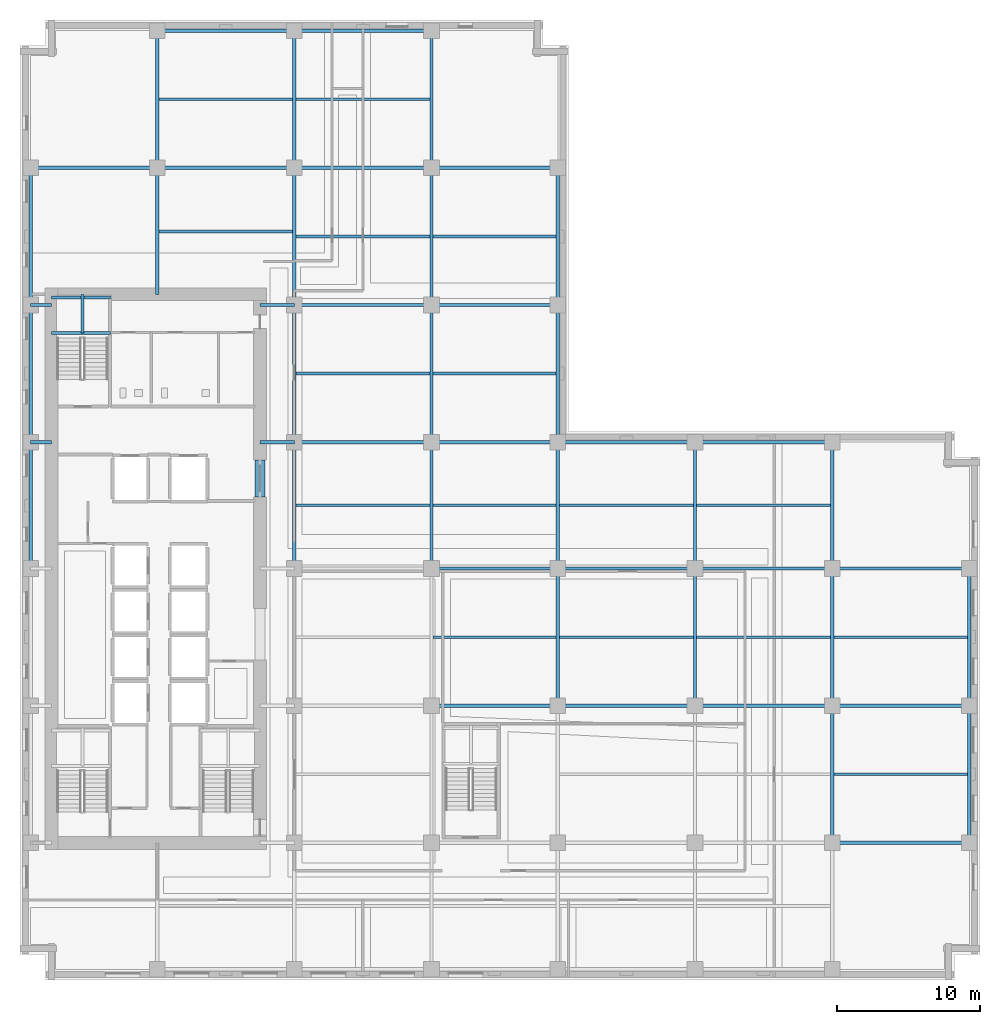
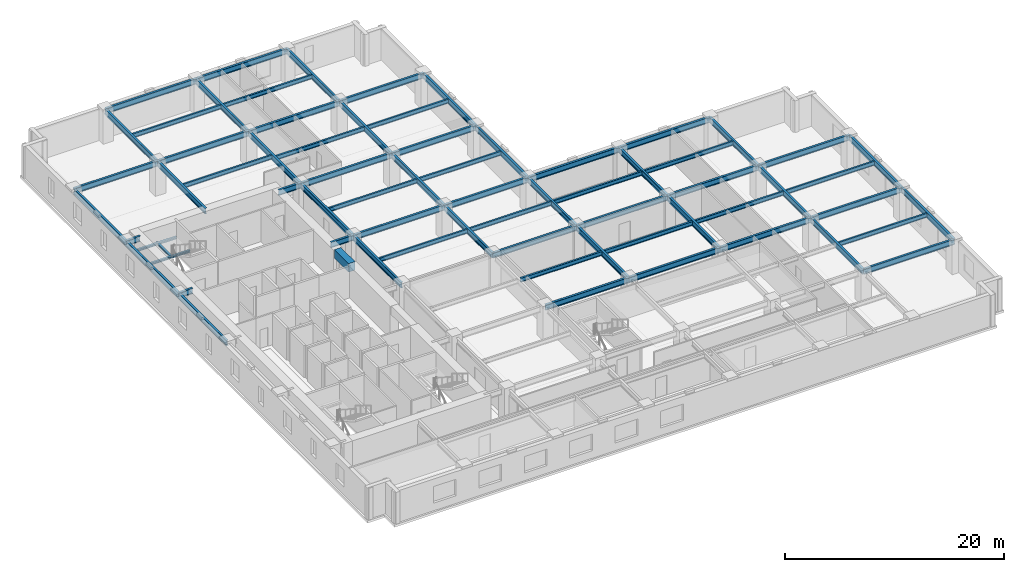
# One storey, part 2 of 13: 69 beams.
"""IFC4 building model written with IfcOpenShell, lengths in metres."""

from ifc_helpers import new_model, si_unit, direction, frame, origin, origin_2d, place, context, subcontext, project, spatial, rectangle, i_section, extrude, material, material_profile, profile_set, type_object, element, save


model = new_model("IFC4")

# Units and contexts
model_context = context("Model", 3, precision=1e-05, world=origin(), true_north=direction((0.0, 1.0)))
body_context = subcontext(model_context, "Body", "Model", "MODEL_VIEW")
ifc_project = project(units=[si_unit("LENGTHUNIT", "METRE"), si_unit("AREAUNIT", "SQUARE_METRE"), si_unit("VOLUMEUNIT", "CUBIC_METRE"), si_unit("PLANEANGLEUNIT", "RADIAN"), si_unit("MASSUNIT", "GRAM", prefix="KILO")], contexts=[model_context])

# Site, building, storey
site_placement = place(None, origin())
site = spatial("IfcSite", under=ifc_project, at=site_placement, CompositionType="ELEMENT")
building_placement = place(site_placement, origin())
building = spatial("IfcBuilding", under=site, at=building_placement, Name="Norrvale University Quadrangle", CompositionType="ELEMENT")
storey_placement = place(building_placement, frame((0.0, 0.0, 69.800048828125)))
storey = spatial("IfcBuildingStorey", under=building, at=storey_placement, Name="L17", CompositionType="ELEMENT", Elevation=69.800048828125)

# Beams
ifc_material_1 = material(Name="Concrete C80/95", Category="concrete")
ifc_material_profile_1 = material_profile(ifc_material_1, rectangle(XDim=0.699951171875, YDim=0.949951171875, at=origin_2d()), Name="Concrete C80/95")
ifc_profile_set_1 = profile_set([ifc_material_profile_1], Name="Concrete C80/95")
beam_type_1 = type_object("IfcBeamType", Name="Beam Core Link 700x950", PredefinedType="LINTEL", material=ifc_profile_set_1)
beam_1_placement = place(storey_placement, frame((16.800048828125, 33.800048828125, 3.06494140625), z_axis=(0.0, 1.0, 0.0), x_axis=(-1.0, 0.0, 0.0)))
element("IfcBeam", 1, at=beam_1_placement, inside=storey, type_object=beam_type_1, Name="Core Coupling Lintel Beam L17-2", PredefinedType="LINTEL", context=body_context, shape_type="SweptSolid", body=[
    extrude(rectangle(XDim=0.699951171875, YDim=0.949951171875, at=origin_2d()), origin(), (0.0, 0.0, 1.0), 2.599853515625),
])
ifc_material_2 = material(Name="Steel 350W", Category="steel")
ifc_material_profile_2 = material_profile(ifc_material_2, i_section(OverallWidth=0.18994140625, OverallDepth=0.45703125, WebThickness=0.009033203125, FlangeThickness=0.014404296875, FilletRadius=0.012939453125, at=origin_2d()), Name="Steel 350W")
ifc_profile_set_2 = profile_set([ifc_material_profile_2], Name="Steel 350W")
beam_type_2 = type_object("IfcBeamType", Name="Beam Floor W460x74", PredefinedType="JOIST", material=ifc_profile_set_2)
beam_2_placement = place(storey_placement, frame((9.715087890625, 61.64990234375, 3.3115234375), z_axis=(1.0, 0.0, 0.0), x_axis=(0.0, 1.0, 0.0)))
element("IfcBeam", 2, at=beam_2_placement, inside=storey, type_object=beam_type_2, Name="Beam Floor W460x74 BM-L17-J079", PredefinedType="JOIST", context=body_context, shape_type="SweptSolid", body=[
    extrude(i_section(OverallWidth=0.18994140625, OverallDepth=0.45703125, WebThickness=0.009033203125, FlangeThickness=0.014404296875, FilletRadius=0.012939453125, at=origin_2d()), origin(), (0.0, 0.0, 1.0), 9.369873046875),
])
for number, where, z_axis, x_axis, name in (
    (3, (19.31494140625, 33.22509765625, 3.3115234375), (1.0, 0.0, 0.0), (0.0, 1.0, 0.0), "Beam Floor W460x74 BM-L17-J083"),
    (4, (19.31494140625, 42.449951171875, 3.3115234375), (1.0, 0.0, 0.0), (0.0, 1.0, 0.0), "Beam Floor W460x74 BM-L17-J084"),
    (5, (19.31494140625, 52.050048828125, 3.3115234375), (1.0, 0.0, 0.0), (0.0, 1.0, 0.0), "Beam Floor W460x74 BM-L17-J085"),
    (6, (19.31494140625, 61.64990234375, 3.3115234375), (1.0, 0.0, 0.0), (0.0, 1.0, 0.0), "Beam Floor W460x74 BM-L17-J086"),
):
    element("IfcBeam", number, at=place(storey_placement, frame(where, z_axis=z_axis, x_axis=x_axis)), inside=storey, type_object=beam_type_2, Name=name, PredefinedType="JOIST", context=body_context, shape_type="SweptSolid", body=[
        extrude(i_section(OverallWidth=0.18994140625, OverallDepth=0.45703125, WebThickness=0.009033203125, FlangeThickness=0.014404296875, FilletRadius=0.012939453125, at=origin_2d()), origin(), (0.0, 0.0, 1.0), 9.3701171875),
    ])
for number, where, z_axis, x_axis, name in (
    (7, (28.9150390625, 24.0, 3.3115234375), (1.0, 0.0, 0.0), (0.0, 1.0, 0.0), "Beam Floor W460x74 BM-L17-J088"),
    (8, (28.9150390625, 33.22509765625, 3.3115234375), (1.0, 0.0, 0.0), (0.0, 1.0, 0.0), "Beam Floor W460x74 BM-L17-J089"),
    (9, (28.9150390625, 42.449951171875, 3.3115234375), (1.0, 0.0, 0.0), (0.0, 1.0, 0.0), "Beam Floor W460x74 BM-L17-J090"),
    (10, (28.9150390625, 52.050048828125, 3.3115234375), (1.0, 0.0, 0.0), (0.0, 1.0, 0.0), "Beam Floor W460x74 BM-L17-J091"),
):
    element("IfcBeam", number, at=place(storey_placement, frame(where, z_axis=z_axis, x_axis=x_axis)), inside=storey, type_object=beam_type_2, Name=name, PredefinedType="JOIST", context=body_context, shape_type="SweptSolid", body=[
        extrude(i_section(OverallWidth=0.18994140625, OverallDepth=0.45703125, WebThickness=0.009033203125, FlangeThickness=0.014404296875, FilletRadius=0.012939453125, at=origin_2d()), origin(), (0.0, 0.0, 1.0), 8.619873046875),
    ])
for number, where, z_axis, x_axis, name in (
    (11, (37.764892578125, 24.0, 3.3115234375), (1.0, 0.0, 0.0), (0.0, 1.0, 0.0), "Beam Floor W460x74 BM-L17-J094"),
    (12, (37.764892578125, 33.22509765625, 3.3115234375), (1.0, 0.0, 0.0), (0.0, 1.0, 0.0), "Beam Floor W460x74 BM-L17-J095"),
    (13, (47.364990234375, 24.0, 3.3115234375), (1.0, 0.0, 0.0), (0.0, 1.0, 0.0), "Beam Floor W460x74 BM-L17-J098"),
    (14, (47.364990234375, 33.22509765625, 3.3115234375), (1.0, 0.0, 0.0), (0.0, 1.0, 0.0), "Beam Floor W460x74 BM-L17-J099"),
):
    element("IfcBeam", number, at=place(storey_placement, frame(where, z_axis=z_axis, x_axis=x_axis)), inside=storey, type_object=beam_type_2, Name=name, PredefinedType="JOIST", context=body_context, shape_type="SweptSolid", body=[
        extrude(i_section(OverallWidth=0.18994140625, OverallDepth=0.45703125, WebThickness=0.009033203125, FlangeThickness=0.014404296875, FilletRadius=0.012939453125, at=origin_2d()), origin(), (0.0, 0.0, 1.0), 9.3701171875),
    ])
for number, where, z_axis, x_axis, name in (
    (15, (56.965087890625, 14.39990234375, 3.3115234375), (1.0, 0.0, 0.0), (0.0, 1.0, 0.0), "Beam Floor W460x74 BM-L17-J100"),
    (16, (56.965087890625, 24.0, 3.3115234375), (1.0, 0.0, 0.0), (0.0, 1.0, 0.0), "Beam Floor W460x74 BM-L17-J101"),
    (17, (9.715087890625, 52.39990234375, 3.3115234375), (1.0, 0.0, 0.0), (0.0, 1.0, 0.0), "Beam Floor W460x74 BM-L17-JCN105"),
):
    element("IfcBeam", number, at=place(storey_placement, frame(where, z_axis=z_axis, x_axis=x_axis)), inside=storey, type_object=beam_type_2, Name=name, PredefinedType="JOIST", context=body_context, shape_type="SweptSolid", body=[
        extrude(i_section(OverallWidth=0.18994140625, OverallDepth=0.45703125, WebThickness=0.009033203125, FlangeThickness=0.014404296875, FilletRadius=0.012939453125, at=origin_2d()), origin(), (0.0, 0.0, 1.0), 9.369873046875),
    ])
ifc_material_profile_3 = material_profile(ifc_material_2, i_section(OverallWidth=0.22998046875, OverallDepth=0.616943359375, WebThickness=0.01318359375, FlangeThickness=0.022216796875, FilletRadius=0.01611328125, at=origin_2d()), Name="Steel 350W")
ifc_profile_set_3 = profile_set([ifc_material_profile_3], Name="Steel 350W")
beam_type_3 = type_object("IfcBeamType", Name="Beam Floor W610x140", PredefinedType="BEAM", material=ifc_profile_set_3)
beam_3_placement = place(storey_placement, frame((56.85009765625, 9.60009765625, 3.2314453125), z_axis=(1.0, 0.0, 0.0), x_axis=(0.0, 1.0, 0.0)))
element("IfcBeam", 18, at=beam_3_placement, inside=storey, type_object=beam_type_3, Name="Beam Floor W610x140 BM-L17-GX010", PredefinedType="BEAM", context=body_context, shape_type="SweptSolid", body=[
    extrude(i_section(OverallWidth=0.22998046875, OverallDepth=0.616943359375, WebThickness=0.01318359375, FlangeThickness=0.022216796875, FilletRadius=0.01611328125, at=origin_2d()), origin(), (0.0, 0.0, 1.0), 9.599853515625),
])
beam_4_placement = place(storey_placement, frame((28.800048828125, 19.199951171875, 3.2314453125), z_axis=(1.0, 0.0, 0.0), x_axis=(0.0, 1.0, 0.0)))
element("IfcBeam", 19, at=beam_4_placement, inside=storey, type_object=beam_type_3, Name="Beam Floor W610x140 BM-L17-GX012", PredefinedType="BEAM", context=body_context, shape_type="SweptSolid", body=[
    extrude(i_section(OverallWidth=0.22998046875, OverallDepth=0.616943359375, WebThickness=0.01318359375, FlangeThickness=0.022216796875, FilletRadius=0.01611328125, at=origin_2d()), origin(), (0.0, 0.0, 1.0), 8.849853515625),
])
for number, where, z_axis, x_axis, name in (
    (20, (37.64990234375, 19.199951171875, 3.2314453125), (1.0, 0.0, 0.0), (0.0, 1.0, 0.0), "Beam Floor W610x140 BM-L17-GX013"),
    (21, (47.25, 19.199951171875, 3.2314453125), (1.0, 0.0, 0.0), (0.0, 1.0, 0.0), "Beam Floor W610x140 BM-L17-GX014"),
):
    element("IfcBeam", number, at=place(storey_placement, frame(where, z_axis=z_axis, x_axis=x_axis)), inside=storey, type_object=beam_type_3, Name=name, PredefinedType="BEAM", context=body_context, shape_type="SweptSolid", body=[
        extrude(i_section(OverallWidth=0.22998046875, OverallDepth=0.616943359375, WebThickness=0.01318359375, FlangeThickness=0.022216796875, FilletRadius=0.01611328125, at=origin_2d()), origin(), (0.0, 0.0, 1.0), 9.60009765625),
    ])
beam_5_placement = place(storey_placement, frame((56.85009765625, 19.199951171875, 3.2314453125), z_axis=(1.0, 0.0, 0.0), x_axis=(0.0, 1.0, 0.0)))
element("IfcBeam", 22, at=beam_5_placement, inside=storey, type_object=beam_type_3, Name="Beam Floor W610x140 BM-L17-GX015", PredefinedType="BEAM", context=body_context, shape_type="SweptSolid", body=[
    extrude(i_section(OverallWidth=0.22998046875, OverallDepth=0.616943359375, WebThickness=0.01318359375, FlangeThickness=0.022216796875, FilletRadius=0.01611328125, at=origin_2d()), origin(), (0.0, 0.0, 1.0), 9.599853515625),
])
beam_6_placement = place(storey_placement, frame((28.800048828125, 28.800048828125, 3.2314453125), z_axis=(1.0, 0.0, 0.0), x_axis=(0.0, 1.0, 0.0)))
element("IfcBeam", 23, at=beam_6_placement, inside=storey, type_object=beam_type_3, Name="Beam Floor W610x140 BM-L17-GX017", PredefinedType="BEAM", context=body_context, shape_type="SweptSolid", body=[
    extrude(i_section(OverallWidth=0.22998046875, OverallDepth=0.616943359375, WebThickness=0.01318359375, FlangeThickness=0.022216796875, FilletRadius=0.01611328125, at=origin_2d()), origin(), (0.0, 0.0, 1.0), 8.849853515625),
])
for number, where, z_axis, x_axis, name in (
    (24, (37.64990234375, 28.800048828125, 3.2314453125), (1.0, 0.0, 0.0), (0.0, 1.0, 0.0), "Beam Floor W610x140 BM-L17-GX018"),
    (25, (47.25, 28.800048828125, 3.2314453125), (1.0, 0.0, 0.0), (0.0, 1.0, 0.0), "Beam Floor W610x140 BM-L17-GX019"),
):
    element("IfcBeam", number, at=place(storey_placement, frame(where, z_axis=z_axis, x_axis=x_axis)), inside=storey, type_object=beam_type_3, Name=name, PredefinedType="BEAM", context=body_context, shape_type="SweptSolid", body=[
        extrude(i_section(OverallWidth=0.22998046875, OverallDepth=0.616943359375, WebThickness=0.01318359375, FlangeThickness=0.022216796875, FilletRadius=0.01611328125, at=origin_2d()), origin(), (0.0, 0.0, 1.0), 9.60009765625),
    ])
beam_7_placement = place(storey_placement, frame((56.85009765625, 28.800048828125, 3.2314453125), z_axis=(1.0, 0.0, 0.0), x_axis=(0.0, 1.0, 0.0)))
element("IfcBeam", 26, at=beam_7_placement, inside=storey, type_object=beam_type_3, Name="Beam Floor W610x140 BM-L17-GX020", PredefinedType="BEAM", context=body_context, shape_type="SweptSolid", body=[
    extrude(i_section(OverallWidth=0.22998046875, OverallDepth=0.616943359375, WebThickness=0.01318359375, FlangeThickness=0.022216796875, FilletRadius=0.01611328125, at=origin_2d()), origin(), (0.0, 0.0, 1.0), 9.599853515625),
])
beam_8_placement = place(storey_placement, frame((19.199951171875, 37.64990234375, 3.2314453125), z_axis=(1.0, 0.0, 0.0), x_axis=(0.0, 1.0, 0.0)))
element("IfcBeam", 27, at=beam_8_placement, inside=storey, type_object=beam_type_3, Name="Beam Floor W610x140 BM-L17-GX021", PredefinedType="BEAM", context=body_context, shape_type="SweptSolid", body=[
    extrude(i_section(OverallWidth=0.22998046875, OverallDepth=0.616943359375, WebThickness=0.01318359375, FlangeThickness=0.022216796875, FilletRadius=0.01611328125, at=origin_2d()), origin(), (0.0, 0.0, 1.0), 9.60009765625),
])
beam_9_placement = place(storey_placement, frame((28.800048828125, 37.64990234375, 3.2314453125), z_axis=(1.0, 0.0, 0.0), x_axis=(0.0, 1.0, 0.0)))
element("IfcBeam", 28, at=beam_9_placement, inside=storey, type_object=beam_type_3, Name="Beam Floor W610x140 BM-L17-GX022", PredefinedType="BEAM", context=body_context, shape_type="SweptSolid", body=[
    extrude(i_section(OverallWidth=0.22998046875, OverallDepth=0.616943359375, WebThickness=0.01318359375, FlangeThickness=0.022216796875, FilletRadius=0.01611328125, at=origin_2d()), origin(), (0.0, 0.0, 1.0), 8.849853515625),
])
for number, where, z_axis, x_axis, name in (
    (29, (37.64990234375, 37.64990234375, 3.2314453125), (1.0, 0.0, 0.0), (0.0, 1.0, 0.0), "Beam Floor W610x140 BM-L17-GX023"),
    (30, (47.25, 37.64990234375, 3.2314453125), (1.0, 0.0, 0.0), (0.0, 1.0, 0.0), "Beam Floor W610x140 BM-L17-GX024"),
    (31, (19.199951171875, 47.25, 3.2314453125), (1.0, 0.0, 0.0), (0.0, 1.0, 0.0), "Beam Floor W610x140 BM-L17-GX025"),
):
    element("IfcBeam", number, at=place(storey_placement, frame(where, z_axis=z_axis, x_axis=x_axis)), inside=storey, type_object=beam_type_3, Name=name, PredefinedType="BEAM", context=body_context, shape_type="SweptSolid", body=[
        extrude(i_section(OverallWidth=0.22998046875, OverallDepth=0.616943359375, WebThickness=0.01318359375, FlangeThickness=0.022216796875, FilletRadius=0.01611328125, at=origin_2d()), origin(), (0.0, 0.0, 1.0), 9.60009765625),
    ])
beam_10_placement = place(storey_placement, frame((28.800048828125, 47.25, 3.2314453125), z_axis=(1.0, 0.0, 0.0), x_axis=(0.0, 1.0, 0.0)))
element("IfcBeam", 32, at=beam_10_placement, inside=storey, type_object=beam_type_3, Name="Beam Floor W610x140 BM-L17-GX026", PredefinedType="BEAM", context=body_context, shape_type="SweptSolid", body=[
    extrude(i_section(OverallWidth=0.22998046875, OverallDepth=0.616943359375, WebThickness=0.01318359375, FlangeThickness=0.022216796875, FilletRadius=0.01611328125, at=origin_2d()), origin(), (0.0, 0.0, 1.0), 8.849853515625),
])
beam_11_placement = place(storey_placement, frame((0.75, 56.85009765625, 3.2314453125), z_axis=(1.0, 0.0, 0.0), x_axis=(0.0, 1.0, 0.0)))
element("IfcBeam", 33, at=beam_11_placement, inside=storey, type_object=beam_type_3, Name="Beam Floor W610x140 BM-L17-GX027", PredefinedType="BEAM", context=body_context, shape_type="SweptSolid", body=[
    extrude(i_section(OverallWidth=0.22998046875, OverallDepth=0.616943359375, WebThickness=0.01318359375, FlangeThickness=0.022216796875, FilletRadius=0.01611328125, at=origin_2d()), origin(), (0.0, 0.0, 1.0), 8.85009765625),
])
beam_12_placement = place(storey_placement, frame((9.60009765625, 56.85009765625, 3.2314453125), z_axis=(1.0, 0.0, 0.0), x_axis=(0.0, 1.0, 0.0)))
element("IfcBeam", 34, at=beam_12_placement, inside=storey, type_object=beam_type_3, Name="Beam Floor W610x140 BM-L17-GX028", PredefinedType="BEAM", context=body_context, shape_type="SweptSolid", body=[
    extrude(i_section(OverallWidth=0.22998046875, OverallDepth=0.616943359375, WebThickness=0.01318359375, FlangeThickness=0.022216796875, FilletRadius=0.01611328125, at=origin_2d()), origin(), (0.0, 0.0, 1.0), 9.599853515625),
])
beam_13_placement = place(storey_placement, frame((19.199951171875, 56.85009765625, 3.2314453125), z_axis=(1.0, 0.0, 0.0), x_axis=(0.0, 1.0, 0.0)))
element("IfcBeam", 35, at=beam_13_placement, inside=storey, type_object=beam_type_3, Name="Beam Floor W610x140 BM-L17-GX029", PredefinedType="BEAM", context=body_context, shape_type="SweptSolid", body=[
    extrude(i_section(OverallWidth=0.22998046875, OverallDepth=0.616943359375, WebThickness=0.01318359375, FlangeThickness=0.022216796875, FilletRadius=0.01611328125, at=origin_2d()), origin(), (0.0, 0.0, 1.0), 9.60009765625),
])
beam_14_placement = place(storey_placement, frame((28.800048828125, 56.85009765625, 3.2314453125), z_axis=(1.0, 0.0, 0.0), x_axis=(0.0, 1.0, 0.0)))
element("IfcBeam", 36, at=beam_14_placement, inside=storey, type_object=beam_type_3, Name="Beam Floor W610x140 BM-L17-GX030", PredefinedType="BEAM", context=body_context, shape_type="SweptSolid", body=[
    extrude(i_section(OverallWidth=0.22998046875, OverallDepth=0.616943359375, WebThickness=0.01318359375, FlangeThickness=0.022216796875, FilletRadius=0.01611328125, at=origin_2d()), origin(), (0.0, 0.0, 1.0), 8.849853515625),
])
beam_15_placement = place(storey_placement, frame((9.60009765625, 66.449951171875, 3.2314453125), z_axis=(1.0, 0.0, 0.0), x_axis=(0.0, 1.0, 0.0)))
element("IfcBeam", 37, at=beam_15_placement, inside=storey, type_object=beam_type_3, Name="Beam Floor W610x140 BM-L17-GX031", PredefinedType="BEAM", context=body_context, shape_type="SweptSolid", body=[
    extrude(i_section(OverallWidth=0.22998046875, OverallDepth=0.616943359375, WebThickness=0.01318359375, FlangeThickness=0.022216796875, FilletRadius=0.01611328125, at=origin_2d()), origin(), (0.0, 0.0, 1.0), 9.599853515625),
])
beam_16_placement = place(storey_placement, frame((19.199951171875, 66.449951171875, 3.2314453125), z_axis=(1.0, 0.0, 0.0), x_axis=(0.0, 1.0, 0.0)))
element("IfcBeam", 38, at=beam_16_placement, inside=storey, type_object=beam_type_3, Name="Beam Floor W610x140 BM-L17-GX032", PredefinedType="BEAM", context=body_context, shape_type="SweptSolid", body=[
    extrude(i_section(OverallWidth=0.22998046875, OverallDepth=0.616943359375, WebThickness=0.01318359375, FlangeThickness=0.022216796875, FilletRadius=0.01611328125, at=origin_2d()), origin(), (0.0, 0.0, 1.0), 9.60009765625),
])
beam_17_placement = place(storey_placement, frame((0.75, 28.800048828125, 3.2314453125), z_axis=(0.0, 1.0, 0.0), x_axis=(-1.0, 0.0, 0.0)))
element("IfcBeam", 39, at=beam_17_placement, inside=storey, type_object=beam_type_3, Name="Beam Floor W610x140 BM-L17-GY035", PredefinedType="BEAM", context=body_context, shape_type="SweptSolid", body=[
    extrude(i_section(OverallWidth=0.22998046875, OverallDepth=0.616943359375, WebThickness=0.01318359375, FlangeThickness=0.022216796875, FilletRadius=0.01611328125, at=origin_2d()), origin(), (0.0, 0.0, 1.0), 8.849853515625),
])
for number, where, z_axis, x_axis, name in (
    (40, (0.75, 37.64990234375, 3.2314453125), (0.0, 1.0, 0.0), (-1.0, 0.0, 0.0), "Beam Floor W610x140 BM-L17-GY036"),
    (41, (0.75, 47.25, 3.2314453125), (0.0, 1.0, 0.0), (-1.0, 0.0, 0.0), "Beam Floor W610x140 BM-L17-GY037"),
):
    element("IfcBeam", number, at=place(storey_placement, frame(where, z_axis=z_axis, x_axis=x_axis)), inside=storey, type_object=beam_type_3, Name=name, PredefinedType="BEAM", context=body_context, shape_type="SweptSolid", body=[
        extrude(i_section(OverallWidth=0.22998046875, OverallDepth=0.616943359375, WebThickness=0.01318359375, FlangeThickness=0.022216796875, FilletRadius=0.01611328125, at=origin_2d()), origin(), (0.0, 0.0, 1.0), 9.60009765625),
    ])
beam_18_placement = place(storey_placement, frame((9.60009765625, 56.85009765625, 3.2314453125), z_axis=(0.0, 1.0, 0.0), x_axis=(-1.0, 0.0, 0.0)))
element("IfcBeam", 42, at=beam_18_placement, inside=storey, type_object=beam_type_3, Name="Beam Floor W610x140 BM-L17-GY038", PredefinedType="BEAM", context=body_context, shape_type="SweptSolid", body=[
    extrude(i_section(OverallWidth=0.22998046875, OverallDepth=0.616943359375, WebThickness=0.01318359375, FlangeThickness=0.022216796875, FilletRadius=0.01611328125, at=origin_2d()), origin(), (0.0, 0.0, 1.0), 9.599853515625),
])
beam_19_placement = place(storey_placement, frame((19.199951171875, 28.800048828125, 3.2314453125), z_axis=(0.0, 1.0, 0.0), x_axis=(-1.0, 0.0, 0.0)))
element("IfcBeam", 43, at=beam_19_placement, inside=storey, type_object=beam_type_3, Name="Beam Floor W610x140 BM-L17-GY042", PredefinedType="BEAM", context=body_context, shape_type="SweptSolid", body=[
    extrude(i_section(OverallWidth=0.22998046875, OverallDepth=0.616943359375, WebThickness=0.01318359375, FlangeThickness=0.022216796875, FilletRadius=0.01611328125, at=origin_2d()), origin(), (0.0, 0.0, 1.0), 8.849853515625),
])
for number, where, z_axis, x_axis, name in (
    (44, (19.199951171875, 37.64990234375, 3.2314453125), (0.0, 1.0, 0.0), (-1.0, 0.0, 0.0), "Beam Floor W610x140 BM-L17-GY043"),
    (45, (19.199951171875, 47.25, 3.2314453125), (0.0, 1.0, 0.0), (-1.0, 0.0, 0.0), "Beam Floor W610x140 BM-L17-GY044"),
):
    element("IfcBeam", number, at=place(storey_placement, frame(where, z_axis=z_axis, x_axis=x_axis)), inside=storey, type_object=beam_type_3, Name=name, PredefinedType="BEAM", context=body_context, shape_type="SweptSolid", body=[
        extrude(i_section(OverallWidth=0.22998046875, OverallDepth=0.616943359375, WebThickness=0.01318359375, FlangeThickness=0.022216796875, FilletRadius=0.01611328125, at=origin_2d()), origin(), (0.0, 0.0, 1.0), 9.60009765625),
    ])
beam_20_placement = place(storey_placement, frame((19.199951171875, 56.85009765625, 3.2314453125), z_axis=(0.0, 1.0, 0.0), x_axis=(-1.0, 0.0, 0.0)))
element("IfcBeam", 46, at=beam_20_placement, inside=storey, type_object=beam_type_3, Name="Beam Floor W610x140 BM-L17-GY045", PredefinedType="BEAM", context=body_context, shape_type="SweptSolid", body=[
    extrude(i_section(OverallWidth=0.22998046875, OverallDepth=0.616943359375, WebThickness=0.01318359375, FlangeThickness=0.022216796875, FilletRadius=0.01611328125, at=origin_2d()), origin(), (0.0, 0.0, 1.0), 9.599853515625),
])
beam_21_placement = place(storey_placement, frame((28.800048828125, 28.800048828125, 3.2314453125), z_axis=(0.0, 1.0, 0.0), x_axis=(-1.0, 0.0, 0.0)))
element("IfcBeam", 47, at=beam_21_placement, inside=storey, type_object=beam_type_3, Name="Beam Floor W610x140 BM-L17-GY049", PredefinedType="BEAM", context=body_context, shape_type="SweptSolid", body=[
    extrude(i_section(OverallWidth=0.22998046875, OverallDepth=0.616943359375, WebThickness=0.01318359375, FlangeThickness=0.022216796875, FilletRadius=0.01611328125, at=origin_2d()), origin(), (0.0, 0.0, 1.0), 8.849853515625),
])
for number, where, z_axis, x_axis, name in (
    (48, (28.800048828125, 37.64990234375, 3.2314453125), (0.0, 1.0, 0.0), (-1.0, 0.0, 0.0), "Beam Floor W610x140 BM-L17-GY050"),
    (49, (28.800048828125, 47.25, 3.2314453125), (0.0, 1.0, 0.0), (-1.0, 0.0, 0.0), "Beam Floor W610x140 BM-L17-GY051"),
):
    element("IfcBeam", number, at=place(storey_placement, frame(where, z_axis=z_axis, x_axis=x_axis)), inside=storey, type_object=beam_type_3, Name=name, PredefinedType="BEAM", context=body_context, shape_type="SweptSolid", body=[
        extrude(i_section(OverallWidth=0.22998046875, OverallDepth=0.616943359375, WebThickness=0.01318359375, FlangeThickness=0.022216796875, FilletRadius=0.01611328125, at=origin_2d()), origin(), (0.0, 0.0, 1.0), 9.60009765625),
    ])
beam_22_placement = place(storey_placement, frame((28.800048828125, 56.85009765625, 3.2314453125), z_axis=(0.0, 1.0, 0.0), x_axis=(-1.0, 0.0, 0.0)))
element("IfcBeam", 50, at=beam_22_placement, inside=storey, type_object=beam_type_3, Name="Beam Floor W610x140 BM-L17-GY052", PredefinedType="BEAM", context=body_context, shape_type="SweptSolid", body=[
    extrude(i_section(OverallWidth=0.22998046875, OverallDepth=0.616943359375, WebThickness=0.01318359375, FlangeThickness=0.022216796875, FilletRadius=0.01611328125, at=origin_2d()), origin(), (0.0, 0.0, 1.0), 9.599853515625),
])
beam_23_placement = place(storey_placement, frame((37.64990234375, 19.199951171875, 3.2314453125), z_axis=(0.0, 1.0, 0.0), x_axis=(-1.0, 0.0, 0.0)))
element("IfcBeam", 51, at=beam_23_placement, inside=storey, type_object=beam_type_3, Name="Beam Floor W610x140 BM-L17-GY055", PredefinedType="BEAM", context=body_context, shape_type="SweptSolid", body=[
    extrude(i_section(OverallWidth=0.22998046875, OverallDepth=0.616943359375, WebThickness=0.01318359375, FlangeThickness=0.022216796875, FilletRadius=0.01611328125, at=origin_2d()), origin(), (0.0, 0.0, 1.0), 9.60009765625),
])
beam_24_placement = place(storey_placement, frame((37.64990234375, 28.800048828125, 3.2314453125), z_axis=(0.0, 1.0, 0.0), x_axis=(-1.0, 0.0, 0.0)))
element("IfcBeam", 52, at=beam_24_placement, inside=storey, type_object=beam_type_3, Name="Beam Floor W610x140 BM-L17-GY056", PredefinedType="BEAM", context=body_context, shape_type="SweptSolid", body=[
    extrude(i_section(OverallWidth=0.22998046875, OverallDepth=0.616943359375, WebThickness=0.01318359375, FlangeThickness=0.022216796875, FilletRadius=0.01611328125, at=origin_2d()), origin(), (0.0, 0.0, 1.0), 8.849853515625),
])
for number, where, z_axis, x_axis, name in (
    (53, (37.64990234375, 37.64990234375, 3.2314453125), (0.0, 1.0, 0.0), (-1.0, 0.0, 0.0), "Beam Floor W610x140 BM-L17-GY057"),
    (54, (37.64990234375, 47.25, 3.2314453125), (0.0, 1.0, 0.0), (-1.0, 0.0, 0.0), "Beam Floor W610x140 BM-L17-GY058"),
    (55, (47.25, 19.199951171875, 3.2314453125), (0.0, 1.0, 0.0), (-1.0, 0.0, 0.0), "Beam Floor W610x140 BM-L17-GY061"),
):
    element("IfcBeam", number, at=place(storey_placement, frame(where, z_axis=z_axis, x_axis=x_axis)), inside=storey, type_object=beam_type_3, Name=name, PredefinedType="BEAM", context=body_context, shape_type="SweptSolid", body=[
        extrude(i_section(OverallWidth=0.22998046875, OverallDepth=0.616943359375, WebThickness=0.01318359375, FlangeThickness=0.022216796875, FilletRadius=0.01611328125, at=origin_2d()), origin(), (0.0, 0.0, 1.0), 9.60009765625),
    ])
beam_25_placement = place(storey_placement, frame((47.25, 28.800048828125, 3.2314453125), z_axis=(0.0, 1.0, 0.0), x_axis=(-1.0, 0.0, 0.0)))
element("IfcBeam", 56, at=beam_25_placement, inside=storey, type_object=beam_type_3, Name="Beam Floor W610x140 BM-L17-GY062", PredefinedType="BEAM", context=body_context, shape_type="SweptSolid", body=[
    extrude(i_section(OverallWidth=0.22998046875, OverallDepth=0.616943359375, WebThickness=0.01318359375, FlangeThickness=0.022216796875, FilletRadius=0.01611328125, at=origin_2d()), origin(), (0.0, 0.0, 1.0), 8.849853515625),
])
beam_26_placement = place(storey_placement, frame((56.85009765625, 9.60009765625, 3.2314453125), z_axis=(0.0, 1.0, 0.0), x_axis=(-1.0, 0.0, 0.0)))
element("IfcBeam", 57, at=beam_26_placement, inside=storey, type_object=beam_type_3, Name="Beam Floor W610x140 BM-L17-GY064", PredefinedType="BEAM", context=body_context, shape_type="SweptSolid", body=[
    extrude(i_section(OverallWidth=0.22998046875, OverallDepth=0.616943359375, WebThickness=0.01318359375, FlangeThickness=0.022216796875, FilletRadius=0.01611328125, at=origin_2d()), origin(), (0.0, 0.0, 1.0), 9.599853515625),
])
beam_27_placement = place(storey_placement, frame((56.85009765625, 19.199951171875, 3.2314453125), z_axis=(0.0, 1.0, 0.0), x_axis=(-1.0, 0.0, 0.0)))
element("IfcBeam", 58, at=beam_27_placement, inside=storey, type_object=beam_type_3, Name="Beam Floor W610x140 BM-L17-GY065", PredefinedType="BEAM", context=body_context, shape_type="SweptSolid", body=[
    extrude(i_section(OverallWidth=0.22998046875, OverallDepth=0.616943359375, WebThickness=0.01318359375, FlangeThickness=0.022216796875, FilletRadius=0.01611328125, at=origin_2d()), origin(), (0.0, 0.0, 1.0), 9.60009765625),
])
beam_28_placement = place(storey_placement, frame((56.85009765625, 28.800048828125, 3.2314453125), z_axis=(0.0, 1.0, 0.0), x_axis=(-1.0, 0.0, 0.0)))
element("IfcBeam", 59, at=beam_28_placement, inside=storey, type_object=beam_type_3, Name="Beam Floor W610x140 BM-L17-GY066", PredefinedType="BEAM", context=body_context, shape_type="SweptSolid", body=[
    extrude(i_section(OverallWidth=0.22998046875, OverallDepth=0.616943359375, WebThickness=0.01318359375, FlangeThickness=0.022216796875, FilletRadius=0.01611328125, at=origin_2d()), origin(), (0.0, 0.0, 1.0), 8.849853515625),
])
beam_29_placement = place(storey_placement, frame((66.449951171875, 9.60009765625, 3.2314453125), z_axis=(0.0, 1.0, 0.0), x_axis=(-1.0, 0.0, 0.0)))
element("IfcBeam", 60, at=beam_29_placement, inside=storey, type_object=beam_type_3, Name="Beam Floor W610x140 BM-L17-GY067", PredefinedType="BEAM", context=body_context, shape_type="SweptSolid", body=[
    extrude(i_section(OverallWidth=0.22998046875, OverallDepth=0.616943359375, WebThickness=0.01318359375, FlangeThickness=0.022216796875, FilletRadius=0.01611328125, at=origin_2d()), origin(), (0.0, 0.0, 1.0), 9.599853515625),
])
beam_30_placement = place(storey_placement, frame((66.449951171875, 19.199951171875, 3.2314453125), z_axis=(0.0, 1.0, 0.0), x_axis=(-1.0, 0.0, 0.0)))
element("IfcBeam", 61, at=beam_30_placement, inside=storey, type_object=beam_type_3, Name="Beam Floor W610x140 BM-L17-GY068", PredefinedType="BEAM", context=body_context, shape_type="SweptSolid", body=[
    extrude(i_section(OverallWidth=0.22998046875, OverallDepth=0.616943359375, WebThickness=0.01318359375, FlangeThickness=0.022216796875, FilletRadius=0.01611328125, at=origin_2d()), origin(), (0.0, 0.0, 1.0), 9.60009765625),
])
beam_31_placement = place(storey_placement, frame((0.75, 37.64990234375, 3.2314453125), z_axis=(1.0, 0.0, 0.0), x_axis=(0.0, 1.0, 0.0)))
element("IfcBeam", 62, at=beam_31_placement, inside=storey, type_object=beam_type_3, Name="Beam Floor W610x140 BM-L17-GCW075", PredefinedType="BEAM", context=body_context, shape_type="SweptSolid", body=[
    extrude(i_section(OverallWidth=0.22998046875, OverallDepth=0.616943359375, WebThickness=0.01318359375, FlangeThickness=0.022216796875, FilletRadius=0.01611328125, at=origin_2d()), origin(), (0.0, 0.0, 1.0), 1.449951171875),
])
beam_32_placement = place(storey_placement, frame((16.800048828125, 37.64990234375, 3.2314453125), z_axis=(1.0, 0.0, 0.0), x_axis=(0.0, 1.0, 0.0)))
element("IfcBeam", 63, at=beam_32_placement, inside=storey, type_object=beam_type_3, Name="Beam Floor W610x140 BM-L17-GCE076", PredefinedType="BEAM", context=body_context, shape_type="SweptSolid", body=[
    extrude(i_section(OverallWidth=0.22998046875, OverallDepth=0.616943359375, WebThickness=0.01318359375, FlangeThickness=0.022216796875, FilletRadius=0.01611328125, at=origin_2d()), origin(), (0.0, 0.0, 1.0), 2.39990234375),
])
beam_33_placement = place(storey_placement, frame((0.75, 47.25, 3.2314453125), z_axis=(1.0, 0.0, 0.0), x_axis=(0.0, 1.0, 0.0)))
element("IfcBeam", 64, at=beam_33_placement, inside=storey, type_object=beam_type_3, Name="Beam Floor W610x140 BM-L17-GCW077", PredefinedType="BEAM", context=body_context, shape_type="SweptSolid", body=[
    extrude(i_section(OverallWidth=0.22998046875, OverallDepth=0.616943359375, WebThickness=0.01318359375, FlangeThickness=0.022216796875, FilletRadius=0.01611328125, at=origin_2d()), origin(), (0.0, 0.0, 1.0), 1.449951171875),
])
beam_34_placement = place(storey_placement, frame((16.800048828125, 47.25, 3.2314453125), z_axis=(1.0, 0.0, 0.0), x_axis=(0.0, 1.0, 0.0)))
element("IfcBeam", 65, at=beam_34_placement, inside=storey, type_object=beam_type_3, Name="Beam Floor W610x140 BM-L17-GCE078", PredefinedType="BEAM", context=body_context, shape_type="SweptSolid", body=[
    extrude(i_section(OverallWidth=0.22998046875, OverallDepth=0.616943359375, WebThickness=0.01318359375, FlangeThickness=0.022216796875, FilletRadius=0.01611328125, at=origin_2d()), origin(), (0.0, 0.0, 1.0), 2.39990234375),
])
beam_35_placement = place(storey_placement, frame((9.60009765625, 48.0, 3.2314453125), z_axis=(0.0, 1.0, 0.0), x_axis=(-1.0, 0.0, 0.0)))
element("IfcBeam", 66, at=beam_35_placement, inside=storey, type_object=beam_type_3, Name="Beam Floor W610x140 BM-L17-GCN104", PredefinedType="BEAM", context=body_context, shape_type="SweptSolid", body=[
    extrude(i_section(OverallWidth=0.22998046875, OverallDepth=0.616943359375, WebThickness=0.01318359375, FlangeThickness=0.022216796875, FilletRadius=0.01611328125, at=origin_2d()), origin(), (0.0, 0.0, 1.0), 8.85009765625),
])
ifc_material_profile_4 = material_profile(ifc_material_2, i_section(OverallWidth=0.201904296875, OverallDepth=0.2470703125, WebThickness=0.00732421875, FlangeThickness=0.010986328125, FilletRadius=0.011962890625, at=origin_2d()), Name="Steel 350W")
ifc_profile_set_4 = profile_set([ifc_material_profile_4], Name="Steel 350W")
beam_type_4 = type_object("IfcBeamType", Name="Beam Stair W250x49", PredefinedType="BEAM", material=ifc_profile_set_4)
for number, where, z_axis, x_axis, name in (
    (67, (2.199951171875, 45.2900390625, 1.576416015625), (1.0, 0.0, 0.0), (0.0, 1.0, 0.0), "Stair Mid-Landing Front Beam ST-02 L17"),
    (68, (2.199951171875, 47.77001953125, 1.576416015625), (1.0, 0.0, 0.0), (0.0, 1.0, 0.0), "Stair Mid-Landing Rear Beam ST-02 L17"),
):
    element("IfcBeam", number, at=place(storey_placement, frame(where, z_axis=z_axis, x_axis=x_axis)), inside=storey, type_object=beam_type_4, Name=name, PredefinedType="BEAM", context=body_context, shape_type="SweptSolid", body=[
        extrude(i_section(OverallWidth=0.201904296875, OverallDepth=0.2470703125, WebThickness=0.00732421875, FlangeThickness=0.010986328125, FilletRadius=0.011962890625, at=origin_2d()), origin(), (0.0, 0.0, 1.0), 4.14013671875),
    ])
ifc_material_profile_5 = material_profile(ifc_material_2, i_section(OverallWidth=0.202880859375, OverallDepth=0.202880859375, WebThickness=0.007080078125, FlangeThickness=0.010986328125, FilletRadius=0.010009765625, at=origin_2d()), Name="Steel 350W")
ifc_profile_set_5 = profile_set([ifc_material_profile_5], Name="Steel 350W")
beam_type_5 = type_object("IfcBeamType", Name="Beam Trim W200x46", PredefinedType="BEAM", material=ifc_profile_set_5)
beam_36_placement = place(storey_placement, frame((4.375, 45.2900390625, 1.598388671875), z_axis=(0.0, 1.0, 0.0), x_axis=(-1.0, 0.0, 0.0)))
element("IfcBeam", 69, at=beam_36_placement, inside=storey, type_object=beam_type_5, Name="Stair Mid-Landing Cross Beam ST-02 L17", PredefinedType="BEAM", context=body_context, shape_type="SweptSolid", body=[
    extrude(i_section(OverallWidth=0.202880859375, OverallDepth=0.202880859375, WebThickness=0.007080078125, FlangeThickness=0.010986328125, FilletRadius=0.010009765625, at=origin_2d()), origin(), (0.0, 0.0, 1.0), 2.7099609375),
])

save(model, "model.ifc")
